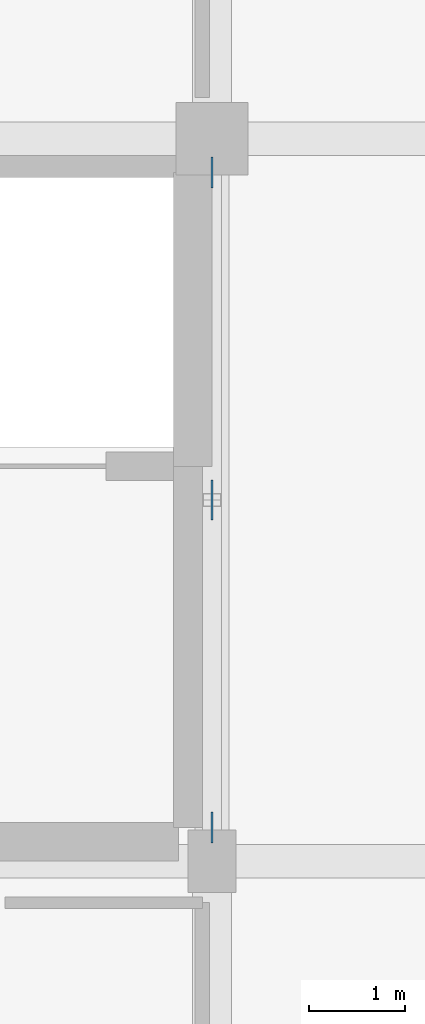
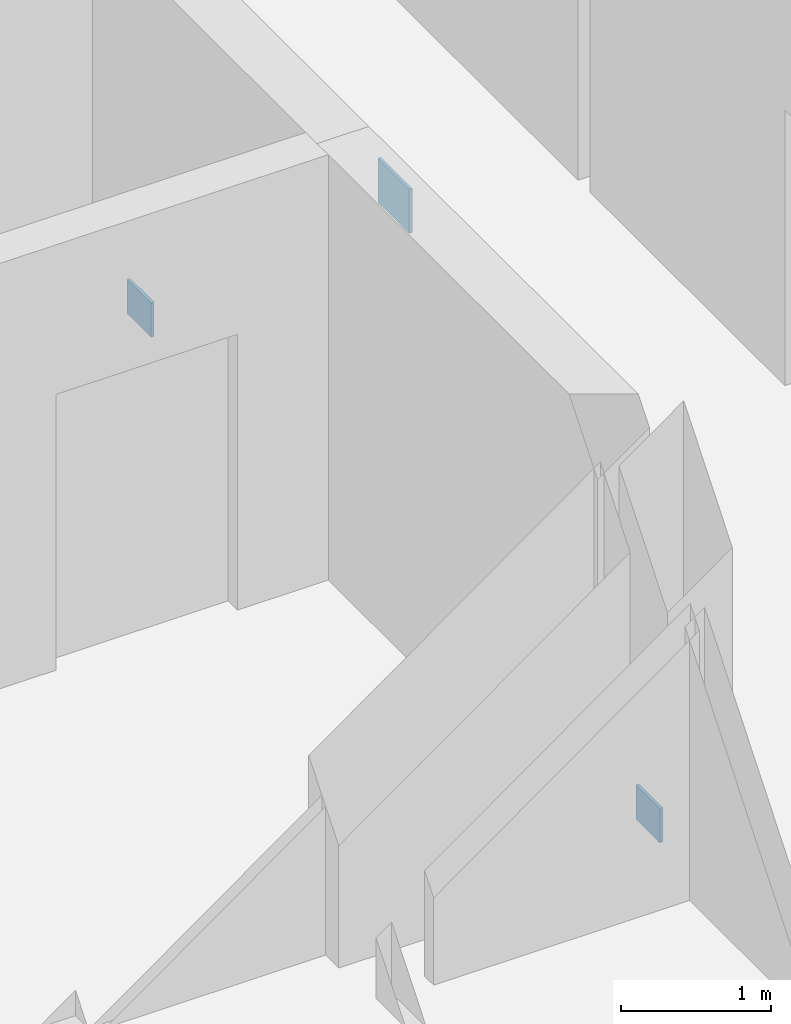
# One storey, part 13 of 43: 3 plates.
"""IFC4 building model written with IfcOpenShell, lengths in metres."""

from ifc_helpers import new_model, si_unit, direction, frame, origin, origin_2d, place, context, subcontext, project, spatial, rectangle, extrude, material, layer, layer_set, type_object, element, save


model = new_model("IFC4")

# Units and contexts
model_context = context("Model", 3, precision=1e-05, world=origin(), true_north=direction((0.0, 1.0)))
body_context = subcontext(model_context, "Body", "Model", "MODEL_VIEW")
ifc_project = project(units=[si_unit("LENGTHUNIT", "METRE"), si_unit("AREAUNIT", "SQUARE_METRE"), si_unit("VOLUMEUNIT", "CUBIC_METRE"), si_unit("PLANEANGLEUNIT", "RADIAN"), si_unit("MASSUNIT", "GRAM", prefix="KILO")], contexts=[model_context])

# Site, building, storey
site_placement = place(None, origin())
site = spatial("IfcSite", under=ifc_project, at=site_placement, CompositionType="ELEMENT")
building_placement = place(site_placement, origin())
building = spatial("IfcBuilding", under=site, at=building_placement, Name="Dalvernix Boulevard General Hospital", CompositionType="ELEMENT")
storey_placement = place(building_placement, frame((0.0, 0.0, 14.10009765625)))
storey = spatial("IfcBuildingStorey", under=building, at=storey_placement, Name="L03", CompositionType="ELEMENT", Elevation=14.10009765625)

# Plates
ifc_material = material(Name="Steel S355", Category="steel")
ifc_layer = layer(ifc_material, 0.028076171875)
ifc_layer_set = layer_set([ifc_layer], Name="Steel S355 (PLT-NP-03)")
plate_type = type_object("IfcPlateType", Name="PLT-NP-03", PredefinedType="SHEET", material=ifc_layer_set)
plate_placement = place(storey_placement, frame((15.0, 57.75, 2.93994140625), z_axis=(0.0, 0.0, 1.0), x_axis=(0.0, 1.0, 0.0)))
element("IfcPlate", 1, at=plate_placement, inside=storey, type_object=plate_type, Name="L03 brace apex gusset plate 2", PredefinedType="SHEET", context=body_context, shape_type="SweptSolid", body=[
    extrude(rectangle(XDim=0.419921875, YDim=0.02392578125, at=origin_2d()), origin(), (0.0, 0.0, 1.0), 0.360107421875),
])
for number, where, z_axis, x_axis, name in (
    (2, (15.0, 54.35009765625, 0.0), (0.0, 0.0, 1.0), (0.0, 1.0, 0.0), "L03 brace base gusset plate 2S"),
    (3, (15.0, 61.14990234375, 0.0), (0.0, 0.0, 1.0), (0.0, 1.0, 0.0), "L03 brace base gusset plate 2N"),
):
    element("IfcPlate", number, at=place(storey_placement, frame(where, z_axis=z_axis, x_axis=x_axis)), inside=storey, type_object=plate_type, Name=name, PredefinedType="SHEET", context=body_context, shape_type="SweptSolid", body=[
        extrude(rectangle(XDim=0.320068359375, YDim=0.02392578125, at=origin_2d()), origin(), (0.0, 0.0, 1.0), 0.280029296875),
    ])

save(model, "model.ifc")
